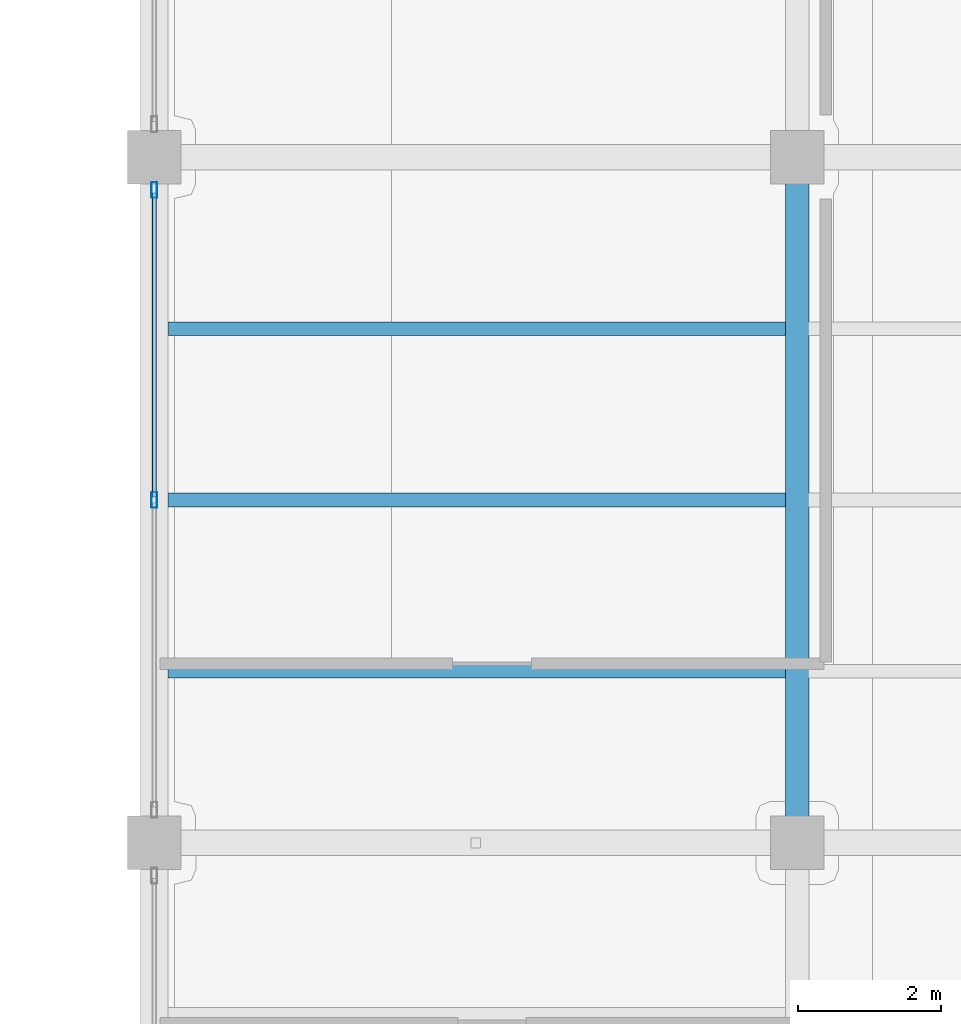
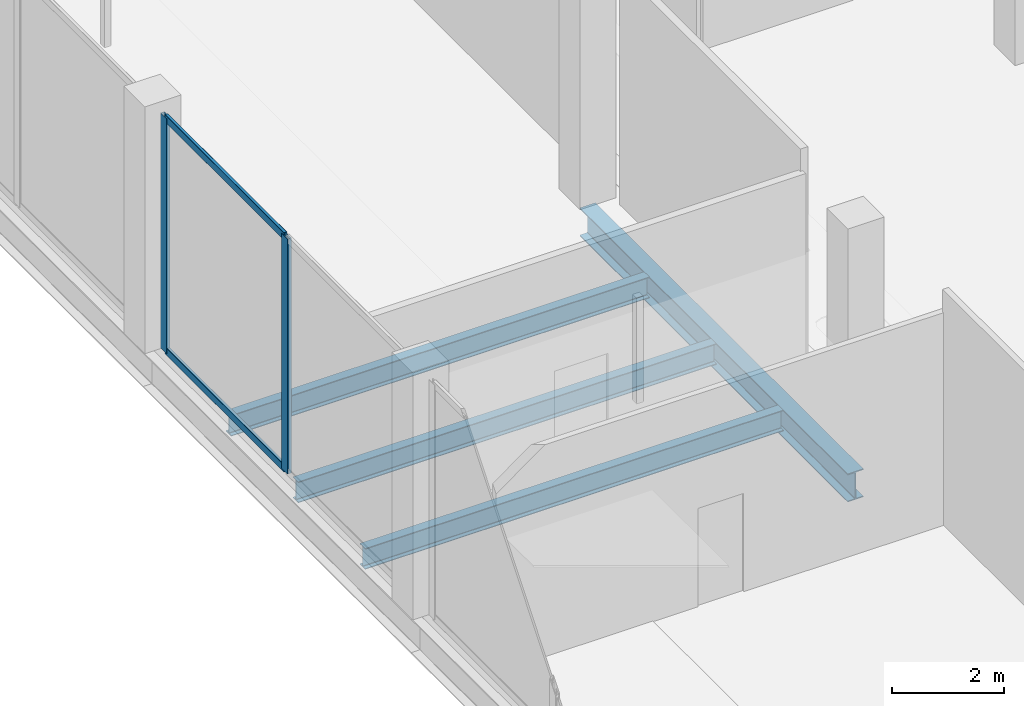
# One storey, part 9 of 47: 4 beams, 4 members, 1 element without a shape of its own.
"""IFC4 building model written with IfcOpenShell, lengths in metres."""

from ifc_helpers import new_model, si_unit, direction, frame, origin, origin_2d, place, context, subcontext, project, spatial, hollow_rectangle, i_section, extrude, material, layer, layer_set, material_profile, profile_set, type_object, element, aggregate, save


model = new_model("IFC4")

# Units and contexts
model_context = context("Model", 3, precision=1e-05, world=origin(), true_north=direction((0.0, 1.0)))
body_context = subcontext(model_context, "Body", "Model", "MODEL_VIEW")
ifc_project = project(units=[si_unit("LENGTHUNIT", "METRE"), si_unit("AREAUNIT", "SQUARE_METRE"), si_unit("VOLUMEUNIT", "CUBIC_METRE"), si_unit("PLANEANGLEUNIT", "RADIAN"), si_unit("MASSUNIT", "GRAM", prefix="KILO")], contexts=[model_context])

# Site, building, storey
site_placement = place(None, origin())
site = spatial("IfcSite", under=ifc_project, at=site_placement, CompositionType="ELEMENT")
building_placement = place(site_placement, origin())
building = spatial("IfcBuilding", under=site, at=building_placement, Name="Qorvath Tower", CompositionType="ELEMENT")
storey_placement = place(building_placement, frame((0.0, 0.0, 6.60009765625)))
storey = spatial("IfcBuildingStorey", under=building, at=storey_placement, Name="L01", CompositionType="ELEMENT", Elevation=6.60009765625)

# Beams
ifc_material_1 = material(Name="Steel ASTM A992 Grade 50", Category="steel")
ifc_material_profile_1 = material_profile(ifc_material_1, i_section(OverallWidth=0.324951171875, OverallDepth=0.615966796875, WebThickness=0.013916015625, FlangeThickness=0.021484375, FilletRadius=0.01611328125, at=origin_2d()), Name="W24x117")
ifc_profile_set_1 = profile_set([ifc_material_profile_1], Name="Steel ASTM A992 Grade 50")
beam_type_1 = type_object("IfcBeamType", Name="BM-FG5", PredefinedType="BEAM", material=ifc_profile_set_1)
beam_placement = place(storey_placement, frame((41.39990234375, 0.0, -0.568115234375), z_axis=(0.0, 1.0, 0.0), x_axis=(-1.0, 0.0, 0.0)))
element("IfcBeam", 1, at=beam_placement, inside=storey, type_object=beam_type_1, Name="Library N-S Girder L01-2-5", PredefinedType="BEAM", context=body_context, shape_type="SweptSolid", body=[
    extrude(i_section(OverallWidth=0.324951171875, OverallDepth=0.615966796875, WebThickness=0.013916015625, FlangeThickness=0.021484375, FilletRadius=0.01611328125, at=origin_2d()), origin(), (0.0, 0.0, 1.0), 9.60009765625),
])
ifc_material_2 = material(Name="Steel ASTM A992 Grade 50", Category="steel")
ifc_material_profile_2 = material_profile(ifc_material_2, i_section(OverallWidth=0.18994140625, OverallDepth=0.45703125, WebThickness=0.009033203125, FlangeThickness=0.014404296875, FilletRadius=0.011962890625, at=origin_2d()), Name="W18x50")
ifc_profile_set_2 = profile_set([ifc_material_profile_2], Name="Steel ASTM A992 Grade 50")
beam_type_2 = type_object("IfcBeamType", Name="BM-FJ2", PredefinedType="JOIST", material=ifc_profile_set_2)
for number, where, z_axis, x_axis, name in (
    (2, (32.58837890625, 2.39990234375, -0.488525390625), (1.0, 0.0, 0.0), (0.0, 1.0, 0.0), "Library Stack Joist L01-5.1-1"),
    (3, (32.58837890625, 4.800048828125, -0.488525390625), (1.0, 0.0, 0.0), (0.0, 1.0, 0.0), "Library Stack Joist L01-5.2-1"),
    (4, (32.58837890625, 7.199951171875, -0.488525390625), (1.0, 0.0, 0.0), (0.0, 1.0, 0.0), "Library Stack Joist L01-5.3-1"),
):
    element("IfcBeam", number, at=place(storey_placement, frame(where, z_axis=z_axis, x_axis=x_axis)), inside=storey, type_object=beam_type_2, Name=name, PredefinedType="JOIST", context=body_context, shape_type="SweptSolid", body=[
        extrude(i_section(OverallWidth=0.18994140625, OverallDepth=0.45703125, WebThickness=0.009033203125, FlangeThickness=0.014404296875, FilletRadius=0.011962890625, at=origin_2d()), origin(), (0.0, 0.0, 1.0), 8.651123046875),
    ])

# Curtain wall, members
ifc_material_3 = material(Name="Anodised aluminium and triple low-E glass", Category="aluminium")
ifc_layer = layer(ifc_material_3, 0.179931640625)
ifc_layer_set = layer_set([ifc_layer], Name="CW-SYS-6")
curtain_wall_type = type_object("IfcCurtainWallType", Name="CW-SYS-6", PredefinedType="NOTDEFINED", material=ifc_layer_set)
curtain_wall_placement = place(storey_placement, origin())
curtain_wall = element("IfcCurtainWall", 5, at=curtain_wall_placement, inside=storey, type_object=curtain_wall_type, Name="Curtain Wall CW-6 CW-LIB-W-L01-5", PredefinedType="NOTDEFINED")
ifc_material_4 = material(Name="Anodised aluminium 6063-T6", Category="aluminium")
ifc_material_profile_3 = material_profile(ifc_material_4, hollow_rectangle(XDim=0.080078125, YDim=0.219970703125, WallThickness=0.00439453125, InnerFilletRadius=0.00439453125, OuterFilletRadius=0.009033203125, at=origin_2d()), Name="CWM LIB 220x80")
ifc_profile_set_3 = profile_set([ifc_material_profile_3], Name="Anodised aluminium 6063-T6")
member_type_1 = type_object("IfcMemberType", Name="CWM-LIB", PredefinedType="MULLION", material=ifc_profile_set_3)
member_1_placement = place(storey_placement, frame((32.39990234375, 4.7998046875, 0.0), z_axis=(0.0, 0.0, 1.0), x_axis=(-1.0, 0.0, 0.0)))
member_1 = element("IfcMember", 6, at=member_1_placement, type_object=member_type_1, Name="CW-6 mullion 2", PredefinedType="MULLION", context=body_context, shape_type="SweptSolid", body=[
    extrude(hollow_rectangle(XDim=0.080078125, YDim=0.219970703125, WallThickness=0.00439453125, InnerFilletRadius=0.00439453125, OuterFilletRadius=0.009033203125, at=origin_2d()), origin(), (0.0, 0.0, 1.0), 5.139892578125),
])
member_2_placement = place(storey_placement, frame((32.39990234375, 9.139892578125, 0.0), z_axis=(0.0, 0.0, 1.0), x_axis=(-1.0, 0.0, 0.0)))
member_2 = element("IfcMember", 7, at=member_2_placement, type_object=member_type_1, Name="CW-6 mullion 3", PredefinedType="MULLION", context=body_context, shape_type="SweptSolid", body=[
    extrude(hollow_rectangle(XDim=0.080078125, YDim=0.219970703125, WallThickness=0.00439453125, InnerFilletRadius=0.00439453125, OuterFilletRadius=0.009033203125, at=origin_2d()), origin(), (0.0, 0.0, 1.0), 5.139892578125),
])
ifc_material_5 = material(Name="Anodised aluminium 6063-T6", Category="aluminium")
ifc_material_profile_4 = material_profile(ifc_material_5, hollow_rectangle(XDim=0.06494140625, YDim=0.159912109375, WallThickness=0.00341796875, InnerFilletRadius=0.00341796875, OuterFilletRadius=0.007080078125, at=origin_2d()), Name="CWT 160x65")
ifc_profile_set_4 = profile_set([ifc_material_profile_4], Name="Anodised aluminium 6063-T6")
member_type_2 = type_object("IfcMemberType", Name="CWT-160", PredefinedType="USERDEFINED", material=ifc_profile_set_4)
member_3_placement = place(storey_placement, frame((32.39990234375, 4.83984375, 0.032470703125), z_axis=(0.0, 1.0, 0.0), x_axis=(-1.0, 0.0, 0.0)))
member_3 = element("IfcMember", 8, at=member_3_placement, type_object=member_type_2, Name="CW-6 transom 2.1", ObjectType="TRANSOM", PredefinedType="USERDEFINED", context=body_context, shape_type="SweptSolid", body=[
    extrude(hollow_rectangle(XDim=0.06494140625, YDim=0.159912109375, WallThickness=0.00341796875, InnerFilletRadius=0.00341796875, OuterFilletRadius=0.007080078125, at=origin_2d()), origin(), (0.0, 0.0, 1.0), 4.260009765625),
])
member_4_placement = place(storey_placement, frame((32.39990234375, 4.83984375, 5.107421875), z_axis=(0.0, 1.0, 0.0), x_axis=(-1.0, 0.0, 0.0)))
member_4 = element("IfcMember", 9, at=member_4_placement, type_object=member_type_2, Name="CW-6 transom 2.2", ObjectType="TRANSOM", PredefinedType="USERDEFINED", context=body_context, shape_type="SweptSolid", body=[
    extrude(hollow_rectangle(XDim=0.06494140625, YDim=0.159912109375, WallThickness=0.00341796875, InnerFilletRadius=0.00341796875, OuterFilletRadius=0.007080078125, at=origin_2d()), origin(), (0.0, 0.0, 1.0), 4.260009765625),
])
aggregate(curtain_wall, [member_1, member_2, member_3, member_4])

save(model, "model.ifc")
